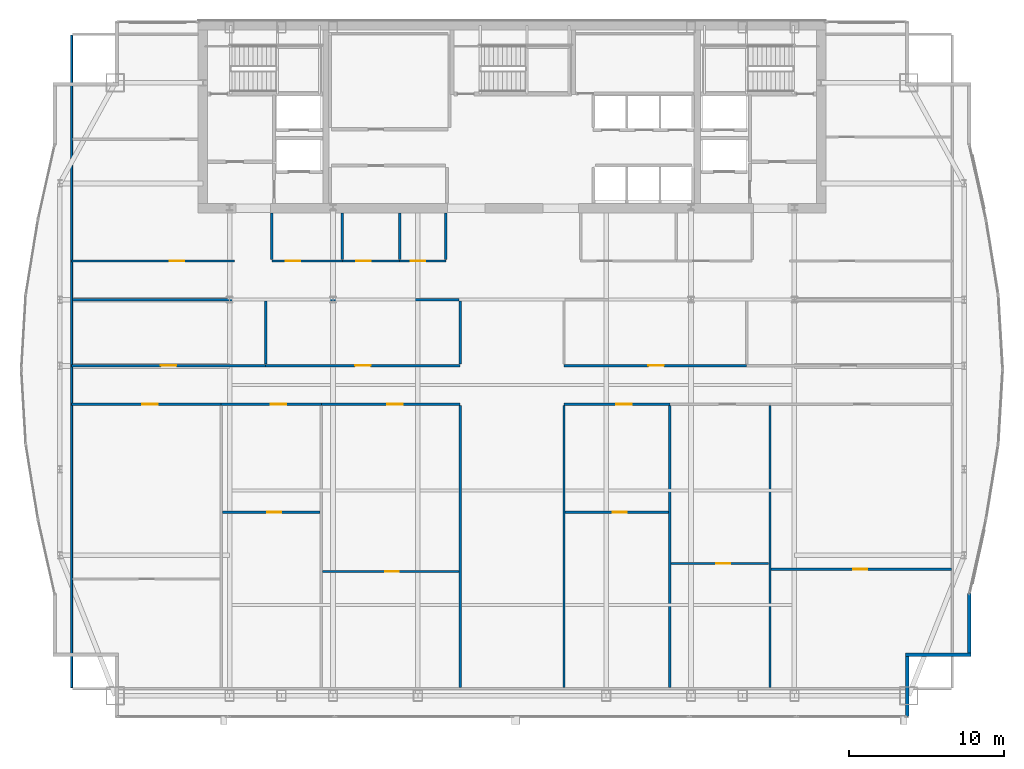
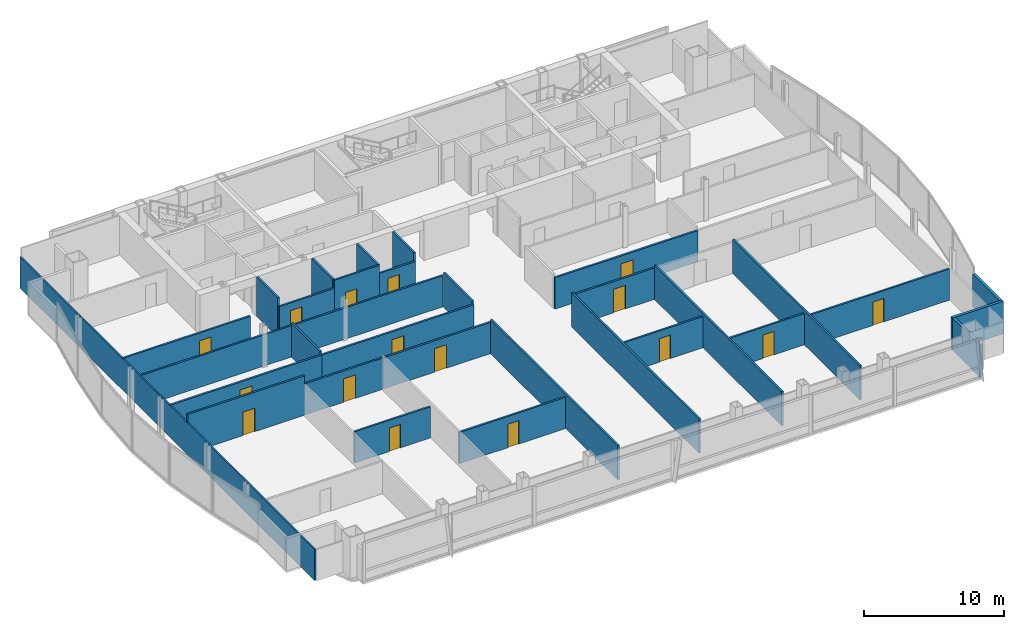
# One storey, part 25 of 30: 31 walls, 16 doors, 16 openings.
"""IFC4 building model written with IfcOpenShell, lengths in metres."""

import ifcopenshell
import ifcopenshell.guid

model = None  # the IFC model being written
_history = None  # IfcOwnerHistory: only IFC2X3 demands one
_inside = {}  # id of a spatial element -> (the spatial element, [elements in it])
_under = {}  # id of a project, library or spatial element -> (it, [spatial elements below it])
_declared = {}  # id of a project -> (the project, [libraries it declares])
_typed = {}  # id of a type object -> (the type object, [elements of that type])
_made_of = {}  # id of a material, layer set ... -> (it, [elements and type objects made of it])


def new_model(schema):
    """Start an empty IFC model of exactly this schema.

    Asked for "IFC4X3", IfcOpenShell would pick the latest addendum, in which some entities
    have other attributes; the version numbers below select the first issue.
    IFC2X3 requires an IfcOwnerHistory on every rooted entity: one is made here for all.
    """
    global model, _history
    if schema == "IFC4X3":
        model = ifcopenshell.file(schema_version=(4, 3, 0, 0))
    else:
        model = ifcopenshell.file(schema=schema)
    _inside.clear()
    _under.clear()
    _declared.clear()
    _typed.clear()
    _made_of.clear()
    _history = None
    if model.schema == "IFC2X3":
        org = make("IfcOrganization", Name="unknown")
        user = make(
            "IfcPersonAndOrganization",
            ThePerson=make("IfcPerson", FamilyName="unknown"),
            TheOrganization=org,
        )
        app = make(
            "IfcApplication",
            ApplicationDeveloper=org,
            Version="unknown",
            ApplicationFullName="unknown",
            ApplicationIdentifier="unknown",
        )
        _history = make(
            "IfcOwnerHistory",
            OwningUser=user,
            OwningApplication=app,
            ChangeAction="ADDED",
            CreationDate=0,
        )
    return model


def make(cls, **values):
    """One entity of the class cls with the attributes given. An attribute that is None is left unset."""
    return model.create_entity(
        cls, **{name: value for name, value in values.items() if value is not None}
    )


def rooted(cls, **values):
    """An entity with a GlobalId (a new one), such as an element, a storey or a relation."""
    return make(cls, GlobalId=ifcopenshell.guid.new(), OwnerHistory=_history, **values)


def si_unit(unit_type, name, prefix=None):
    """IfcSIUnit, for example si_unit("LENGTHUNIT", "METRE", prefix="MILLI")."""
    return make("IfcSIUnit", UnitType=unit_type, Prefix=prefix, Name=name)


def assignment(units):
    """IfcUnitAssignment: the units of a project."""
    return None if units is None else make("IfcUnitAssignment", Units=units)


def point(xyz):
    """IfcCartesianPoint."""
    return None if xyz is None else make("IfcCartesianPoint", Coordinates=xyz)


def direction(xyz):
    """IfcDirection."""
    return None if xyz is None else make("IfcDirection", DirectionRatios=xyz)


def frame(location, z_axis=None, x_axis=None):
    """IfcAxis2Placement3D, a coordinate frame: its origin and axes. An axis left out is left unset."""
    return make(
        "IfcAxis2Placement3D",
        Location=point(location),
        Axis=direction(z_axis),
        RefDirection=direction(x_axis),
    )


def frame_2d(location, x_axis=None):
    """IfcAxis2Placement2D, a coordinate frame in the plane: its origin and x axis."""
    return make(
        "IfcAxis2Placement2D", Location=point(location), RefDirection=direction(x_axis)
    )


def origin():
    """The frame at (0, 0, 0) with its axes left unset."""
    return frame((0.0, 0.0, 0.0))


def place(relative_to, where):
    """IfcLocalPlacement: puts the frame where relative to a parent placement (None: the world)."""
    return make(
        "IfcLocalPlacement", PlacementRelTo=relative_to, RelativePlacement=where
    )


def context(
    kind, dimensions, precision=None, world=None, true_north=None, identifier=None
):
    """IfcGeometricRepresentationContext, for example the 3D "Model" context."""
    return make(
        "IfcGeometricRepresentationContext",
        ContextIdentifier=identifier,
        ContextType=kind,
        CoordinateSpaceDimension=dimensions,
        Precision=precision,
        WorldCoordinateSystem=world,
        TrueNorth=true_north,
    )


def subcontext(parent, identifier, kind, view, scale=None):
    """IfcGeometricRepresentationSubContext, for example "Body" below "Model"."""
    return make(
        "IfcGeometricRepresentationSubContext",
        ContextIdentifier=identifier,
        ContextType=kind,
        ParentContext=parent,
        TargetScale=scale,
        TargetView=view,
    )


def project(units=None, contexts=None):
    """IfcProject with its units and contexts."""
    return rooted(
        "IfcProject",
        Name="project",
        RepresentationContexts=contexts,
        UnitsInContext=assignment(units),
    )


def spatial(cls, under=None, at=None, **own):
    """A site, building, storey or space (cls), placed at a placement, below another one or the project."""
    s = rooted(cls, ObjectPlacement=at, **own)
    if under is not None:
        _under.setdefault(under.id(), (under, []))[1].append(s)
    return s


def profile(cls, at=None, kind="AREA", **sizes):
    """A parametric profile (cls). Its sizes go by their IFC names, for example OverallWidth=200.0."""
    return make(cls, ProfileType=kind, Position=at, **sizes)


def rectangle(**sizes):
    """IfcRectangleProfileDef."""
    return profile("IfcRectangleProfileDef", **sizes)


def extrude(swept, where, along, depth):
    """IfcExtrudedAreaSolid: the profile swept, set in the frame where, extruded along a direction by depth."""
    return make(
        "IfcExtrudedAreaSolid",
        SweptArea=swept,
        Position=where,
        ExtrudedDirection=direction(along),
        Depth=depth,
    )


def shape(context_of_items, identifier, shape_type, items):
    """IfcShapeRepresentation: the items that make up one representation, for example the "Body"."""
    return make(
        "IfcShapeRepresentation",
        ContextOfItems=context_of_items,
        RepresentationIdentifier=identifier,
        RepresentationType=shape_type,
        Items=items,
    )


def material(Name=None, Category=None):
    """IfcMaterial."""
    return make("IfcMaterial", Name=Name, Category=Category)


def layer(
    of_material, thickness, ventilated=None, Name=None, Category=None, Priority=None
):
    """IfcMaterialLayer: one layer of a wall or slab, of a material (None: an air gap)."""
    return make(
        "IfcMaterialLayer",
        Material=of_material,
        LayerThickness=thickness,
        IsVentilated=ventilated,
        Name=Name,
        Category=Category,
        Priority=Priority,
    )


def layer_set(layers, Name=None):
    """IfcMaterialLayerSet."""
    return make("IfcMaterialLayerSet", MaterialLayers=layers, LayerSetName=Name)


def made_of(thing, what):
    """Note that an element or type object is made of a material, layer set ...; save() writes the relation."""
    if what is not None:
        _made_of.setdefault(what.id(), (what, []))[1].append(thing)
    return thing


def type_object(cls, material=None, **own):
    """A type object (cls), such as IfcWallType, which elements share."""
    return made_of(rooted(cls, **own), material)


def element(
    cls,
    number,
    at=None,
    inside=None,
    cuts=None,
    type_object=None,
    material=None,
    context=None,
    identifier="Body",
    shape_type=None,
    held_by="IfcProductDefinitionShape",
    body=None,
    shapes=None,
    **own,
):
    """One element of the class cls, such as IfcWall. Its Tag is "e" and its number.

    at: its placement. inside: the storey or other place that contains it. cuts: it is an
    opening in that element (IfcRelVoidsElement). A single representation is given by context,
    identifier, shape_type and body (its items); several are given by shapes. held_by: the class
    of the entity that holds the representations. save() writes the other relations.
    """
    e = rooted(cls, Tag="e%d" % number, ObjectPlacement=at, **own)
    if body is not None:
        shapes = [shape(context, identifier, shape_type, body)]
    if shapes is not None:
        e.Representation = make(held_by, Representations=shapes)
    if inside is not None:
        _inside.setdefault(inside.id(), (inside, []))[1].append(e)
    if cuts is not None:
        rooted(
            "IfcRelVoidsElement", RelatingBuildingElement=cuts, RelatedOpeningElement=e
        )
    if type_object is not None:
        _typed.setdefault(type_object.id(), (type_object, []))[1].append(e)
    return made_of(e, material)


def fill(opening, filler):
    """IfcRelFillsElement: the door or window that sits in an opening."""
    return rooted(
        "IfcRelFillsElement",
        RelatingOpeningElement=opening,
        RelatedBuildingElement=filler,
    )


def aggregate(whole, parts):
    """IfcRelAggregates: a whole, such as a stair, and the parts it consists of."""
    return rooted("IfcRelAggregates", RelatingObject=whole, RelatedObjects=parts)


def save(model, path):
    """Write the relations noted so far, then the file.

    IfcRelAggregates (storeys below a building ...), IfcRelContainedInSpatialStructure (elements
    in a storey), IfcRelDefinesByType, IfcRelAssociatesMaterial and IfcRelDeclares: one each for
    every whole, place, type object, material and project.
    """
    for whole, parts in _under.values():
        aggregate(whole, parts)
    for where, things in _inside.values():
        rooted(
            "IfcRelContainedInSpatialStructure",
            RelatedElements=things,
            RelatingStructure=where,
        )
    for kind, things in _typed.values():
        rooted("IfcRelDefinesByType", RelatedObjects=things, RelatingType=kind)
    for what, things in _made_of.values():
        rooted("IfcRelAssociatesMaterial", RelatedObjects=things, RelatingMaterial=what)
    for by, libraries in _declared.values():
        rooted("IfcRelDeclares", RelatingContext=by, RelatedDefinitions=libraries)
    model.write(path)


model = new_model("IFC4")

# Units and contexts
model_context = context("Model", 3, precision=1e-05, world=origin(), true_north=direction((0.0, 1.0)))
body_context = subcontext(model_context, "Body", "Model", "MODEL_VIEW")
ifc_project = project(units=[si_unit("LENGTHUNIT", "METRE"), si_unit("AREAUNIT", "SQUARE_METRE"), si_unit("VOLUMEUNIT", "CUBIC_METRE"), si_unit("PLANEANGLEUNIT", "RADIAN"), si_unit("MASSUNIT", "GRAM", prefix="KILO")], contexts=[model_context])

# Site, building, storey
site_placement = place(None, origin())
site = spatial("IfcSite", under=ifc_project, at=site_placement, CompositionType="ELEMENT")
building_placement = place(site_placement, origin())
building = spatial("IfcBuilding", under=site, at=building_placement, Name="Khoronbel Lancet Exchange", CompositionType="ELEMENT")
storey_placement = place(building_placement, frame((0.0, 0.0, 213.800048828125)))
storey = spatial("IfcBuildingStorey", under=building, at=storey_placement, Name="L54", CompositionType="ELEMENT", Elevation=213.800048828125)

# Walls
ifc_material_1 = material(Name="Precast concrete C40/50", Category="concrete")
ifc_layer_1 = layer(ifc_material_1, 0.25, Name="Precast concrete C40/50")
ifc_layer_set_1 = layer_set([ifc_layer_1], Name="Precast concrete C40/50")
wall_type_1 = type_object("IfcWallType", Name="WL-EXT250", PredefinedType="SOLIDWALL", material=ifc_layer_set_1)
wall_1_placement = place(storey_placement, frame((65.9599609375, 16.72998046875, 0.0), z_axis=(0.0, 0.0, 1.0), x_axis=(0.0, -1.0, 0.0)))
element("IfcWall", 1, at=wall_1_placement, inside=storey, type_object=wall_type_1, Name="Level L54 notched-corner limestone pier 23", PredefinedType="SOLIDWALL", context=body_context, shape_type="SweptSolid", body=[
    extrude(rectangle(XDim=3.830078125, YDim=0.219970703125, at=frame_2d((1.9150390625, 0.0))), origin(), (0.0, 0.0, 1.0), 2.829833984375),
])
wall_2_placement = place(storey_placement, frame((66.070068359375, 12.7900390625, 0.0), z_axis=(0.0, 0.0, 1.0), x_axis=(-1.0, 0.0, 0.0)))
element("IfcWall", 2, at=wall_2_placement, inside=storey, type_object=wall_type_1, Name="Level L54 notched-corner limestone pier 24", PredefinedType="SOLIDWALL", context=body_context, shape_type="SweptSolid", body=[
    extrude(rectangle(XDim=4.219970703125, YDim=0.219970703125, at=frame_2d((2.10986328125, 0.0))), origin(), (0.0, 0.0, 1.0), 2.829833984375),
])
wall_3_placement = place(storey_placement, frame((61.9599609375, 12.679931640625, 0.0), z_axis=(0.0, 0.0, 1.0), x_axis=(0.0, -1.0, 0.0)))
element("IfcWall", 3, at=wall_3_placement, inside=storey, type_object=wall_type_1, Name="Level L54 notched-corner limestone pier 25", PredefinedType="SOLIDWALL", context=body_context, shape_type="SweptSolid", body=[
    extrude(rectangle(XDim=3.909912109375, YDim=0.219970703125, at=frame_2d((1.955078125, 0.0))), origin(), (0.0, 0.0, 1.0), 2.829833984375),
])
ifc_material_2 = material(Name="Acoustic Metal-Stud & Mineral-Wool Gypsum Partition 120 mm", Category="gypsum")
ifc_layer_2 = layer(ifc_material_2, 0.1201171875, Name="Acoustic Metal-Stud & Mineral-Wool Gypsum Partition 120 mm")
ifc_layer_set_2 = layer_set([ifc_layer_2], Name="Acoustic Metal-Stud & Mineral-Wool Gypsum Partition 120 mm")
wall_type_2 = type_object("IfcWallType", Name="WL-PRT120", PredefinedType="PARTITIONING", material=ifc_layer_set_2)
for number, where, z_axis, x_axis, name in (
    (4, (20.949951171875, 38.280029296875, 0.0), (0.0, 0.0, 1.0), (0.0, 1.0, 0.0), "Level L54 interior partition PW-WC-0"),
    (5, (25.5, 38.280029296875, 0.0), (0.0, 0.0, 1.0), (0.0, 1.0, 0.0), "Level L54 interior partition PW-WC-1"),
    (6, (29.199951171875, 38.280029296875, 0.0), (0.0, 0.0, 1.0), (0.0, 1.0, 0.0), "Level L54 interior partition PW-WC-2"),
    (7, (32.179931640625, 38.280029296875, 0.0), (0.0, 0.0, 1.0), (0.0, 1.0, 0.0), "Level L54 interior partition PW-WC-3"),
):
    element("IfcWall", number, at=place(storey_placement, frame(where, z_axis=z_axis, x_axis=x_axis)), inside=storey, type_object=wall_type_2, Name=name, PredefinedType="PARTITIONING", context=body_context, shape_type="SweptSolid", body=[
        extrude(rectangle(XDim=3.02001953125, YDim=0.14990234375, at=frame_2d((1.510009765625, 0.0))), origin(), (0.0, 0.0, 1.0), 3.43994140625),
    ])

# Wall, opening, door
wall_4_placement = place(storey_placement, frame((17.76171875, 21.984130859375, 0.0), z_axis=(0.0, 0.0, 1.0), x_axis=(1.0, 0.0, 0.0)))
wall_4 = element("IfcWall", 8, at=wall_4_placement, inside=storey, type_object=wall_type_2, Name="Level L54 interior partition PW-Z3SW-H2", PredefinedType="PARTITIONING", context=body_context, shape_type="SweptSolid", body=[
    extrude(rectangle(XDim=6.30322265625, YDim=0.14990234375, at=frame_2d((3.151611328125, 0.0))), origin(), (0.0, 0.0, 1.0), 2.72998046875),
])
opening_1_placement = place(wall_4_placement, frame((2.908447265625, 0.0, 0.0)))
opening_1 = element("IfcOpeningElement", 9, at=opening_1_placement, cuts=wall_4, Name="Opening D5", PredefinedType="OPENING", context=body_context, shape_type="SweptSolid", body=[
    extrude(rectangle(XDim=0.89990234375, YDim=2.050048828125, at=frame_2d((0.449951171875, 1.02490234375))), frame((0.0, 0.0849609375, 0.0), z_axis=(0.0, -1.0, 0.0), x_axis=(1.0, 0.0, 0.0)), (0.0, 0.0, 1.0), 0.169921875),
])
ifc_material_3 = material(Name="Acoustic Timber Pantry & Support Door", Category="wood")
door_type_1 = type_object("IfcDoorType", Name="DR-D5", OperationType="NOTDEFINED", PredefinedType="DOOR", material=ifc_material_3)
door_1_placement = place(opening_1_placement, origin())
door_1 = element("IfcDoor", 10, at=door_1_placement, inside=storey, type_object=door_type_1, Name="Z3SW inner door 2 L54-1", OperationType="SINGLE_SWING_RIGHT", OverallHeight=2.050048828125, OverallWidth=0.89990234375, PredefinedType="DOOR", context=body_context, shape_type="SweptSolid", body=[
    extrude(rectangle(XDim=0.89990234375, YDim=2.050048828125, at=frame_2d((0.449951171875, 1.02490234375))), frame((0.0, 0.02490234375, 0.0), z_axis=(0.0, -1.0, 0.0), x_axis=(1.0, 0.0, 0.0)), (0.0, 0.0, 1.0), 0.050048828125),
])
fill(opening_1, door_1)

wall_5_placement = place(storey_placement, frame((24.224853515625, 18.16552734375, 0.0), z_axis=(0.0, 0.0, 1.0), x_axis=(1.0, 0.0, 0.0)))
wall_5 = element("IfcWall", 11, at=wall_5_placement, inside=storey, type_object=wall_type_2, Name="Level L54 interior partition PW-Z3SW-H3", PredefinedType="PARTITIONING", context=body_context, shape_type="SweptSolid", body=[
    extrude(rectangle(XDim=8.795166015625, YDim=0.14990234375, at=frame_2d((4.3974609375, 0.0))), origin(), (0.0, 0.0, 1.0), 2.72998046875),
])
opening_2_placement = place(wall_5_placement, frame((4.02978515625, 0.0, 0.0)))
opening_2 = element("IfcOpeningElement", 12, at=opening_2_placement, cuts=wall_5, Name="Opening D5", PredefinedType="OPENING", context=body_context, shape_type="SweptSolid", body=[
    extrude(rectangle(XDim=0.89990234375, YDim=2.050048828125, at=frame_2d((0.449951171875, 1.02490234375))), frame((0.0, 0.0849609375, 0.0), z_axis=(0.0, -1.0, 0.0), x_axis=(1.0, 0.0, 0.0)), (0.0, 0.0, 1.0), 0.169921875),
])
door_2_placement = place(opening_2_placement, origin())
door_2 = element("IfcDoor", 13, at=door_2_placement, inside=storey, type_object=door_type_1, Name="Z3SW inner door 3 L54-1", OperationType="SINGLE_SWING_RIGHT", OverallHeight=2.050048828125, OverallWidth=0.89990234375, PredefinedType="DOOR", context=body_context, shape_type="SweptSolid", body=[
    extrude(rectangle(XDim=0.89990234375, YDim=2.050048828125, at=frame_2d((0.449951171875, 1.02490234375))), frame((0.0, 0.02490234375, 0.0), z_axis=(0.0, -1.0, 0.0), x_axis=(1.0, 0.0, 0.0)), (0.0, 0.0, 1.0), 0.050048828125),
])
fill(opening_2, door_2)

wall_6_placement = place(storey_placement, frame((39.8798828125, 21.97705078125, 0.0), z_axis=(0.0, 0.0, 1.0), x_axis=(1.0, 0.0, 0.0)))
wall_6 = element("IfcWall", 14, at=wall_6_placement, inside=storey, type_object=wall_type_2, Name="Level L54 interior partition PW-Z3SE-H1", PredefinedType="PARTITIONING", context=body_context, shape_type="SweptSolid", body=[
    extrude(rectangle(XDim=6.677490234375, YDim=0.14990234375, at=frame_2d((3.3388671875, 0.0))), origin(), (0.0, 0.0, 1.0), 2.72998046875),
])
opening_3_placement = place(wall_6_placement, frame((3.076904296875, 0.0, 0.0)))
opening_3 = element("IfcOpeningElement", 15, at=opening_3_placement, cuts=wall_6, Name="Opening D5", PredefinedType="OPENING", context=body_context, shape_type="SweptSolid", body=[
    extrude(rectangle(XDim=0.89990234375, YDim=2.050048828125, at=frame_2d((0.449951171875, 1.02490234375))), frame((0.0, 0.0849609375, 0.0), z_axis=(0.0, -1.0, 0.0), x_axis=(1.0, 0.0, 0.0)), (0.0, 0.0, 1.0), 0.169921875),
])
door_3_placement = place(opening_3_placement, origin())
door_3 = element("IfcDoor", 16, at=door_3_placement, inside=storey, type_object=door_type_1, Name="Z3SE inner door 1 L54-1", OperationType="SINGLE_SWING_RIGHT", OverallHeight=2.050048828125, OverallWidth=0.89990234375, PredefinedType="DOOR", context=body_context, shape_type="SweptSolid", body=[
    extrude(rectangle(XDim=0.89990234375, YDim=2.050048828125, at=frame_2d((0.449951171875, 1.02490234375))), frame((0.0, 0.02490234375, 0.0), z_axis=(0.0, -1.0, 0.0), x_axis=(1.0, 0.0, 0.0)), (0.0, 0.0, 1.0), 0.050048828125),
])
fill(opening_3, door_3)

wall_7_placement = place(storey_placement, frame((46.71728515625, 18.674072265625, 0.0), z_axis=(0.0, 0.0, 1.0), x_axis=(1.0, 0.0, 0.0)))
wall_7 = element("IfcWall", 17, at=wall_7_placement, inside=storey, type_object=wall_type_2, Name="Level L54 interior partition PW-Z3SE-H2", PredefinedType="PARTITIONING", context=body_context, shape_type="SweptSolid", body=[
    extrude(rectangle(XDim=6.29736328125, YDim=0.14990234375, at=frame_2d((3.148681640625, 0.0))), origin(), (0.0, 0.0, 1.0), 2.72998046875),
])
opening_4_placement = place(wall_7_placement, frame((2.90576171875, 0.0, 0.0)))
opening_4 = element("IfcOpeningElement", 18, at=opening_4_placement, cuts=wall_7, Name="Opening D5", PredefinedType="OPENING", context=body_context, shape_type="SweptSolid", body=[
    extrude(rectangle(XDim=0.89990234375, YDim=2.050048828125, at=frame_2d((0.449951171875, 1.02490234375))), frame((0.0, 0.0849609375, 0.0), z_axis=(0.0, -1.0, 0.0), x_axis=(1.0, 0.0, 0.0)), (0.0, 0.0, 1.0), 0.169921875),
])
door_4_placement = place(opening_4_placement, origin())
door_4 = element("IfcDoor", 19, at=door_4_placement, inside=storey, type_object=door_type_1, Name="Z3SE inner door 2 L54-1", OperationType="SINGLE_SWING_RIGHT", OverallHeight=2.050048828125, OverallWidth=0.89990234375, PredefinedType="DOOR", context=body_context, shape_type="SweptSolid", body=[
    extrude(rectangle(XDim=0.89990234375, YDim=2.050048828125, at=frame_2d((0.449951171875, 1.02490234375))), frame((0.0, 0.02490234375, 0.0), z_axis=(0.0, -1.0, 0.0), x_axis=(1.0, 0.0, 0.0)), (0.0, 0.0, 1.0), 0.050048828125),
])
fill(opening_4, door_4)

wall_8_placement = place(storey_placement, frame((53.1748046875, 18.306884765625, 0.0), z_axis=(0.0, 0.0, 1.0), x_axis=(1.0, 0.0, 0.0)))
wall_8 = element("IfcWall", 20, at=wall_8_placement, inside=storey, type_object=wall_type_2, Name="Level L54 interior partition PW-Z3SE-H3", PredefinedType="PARTITIONING", context=body_context, shape_type="SweptSolid", body=[
    extrude(rectangle(XDim=11.630126953125, YDim=0.14990234375, at=frame_2d((5.81494140625, 0.0))), origin(), (0.0, 0.0, 1.0), 2.72998046875),
])
opening_5_placement = place(wall_8_placement, frame((5.298828125, 0.0, 0.0)))
opening_5 = element("IfcOpeningElement", 21, at=opening_5_placement, cuts=wall_8, Name="Opening D5", PredefinedType="OPENING", context=body_context, shape_type="SweptSolid", body=[
    extrude(rectangle(XDim=0.89990234375, YDim=2.050048828125, at=frame_2d((0.449951171875, 1.02490234375))), frame((0.0, 0.0849609375, 0.0), z_axis=(0.0, -1.0, 0.0), x_axis=(1.0, 0.0, 0.0)), (0.0, 0.0, 1.0), 0.169921875),
])
door_5_placement = place(opening_5_placement, origin())
door_5 = element("IfcDoor", 22, at=door_5_placement, inside=storey, type_object=door_type_1, Name="Z3SE inner door 3 L54-1", OperationType="SINGLE_SWING_RIGHT", OverallHeight=2.050048828125, OverallWidth=0.89990234375, PredefinedType="DOOR", context=body_context, shape_type="SweptSolid", body=[
    extrude(rectangle(XDim=0.89990234375, YDim=2.050048828125, at=frame_2d((0.449951171875, 1.02490234375))), frame((0.0, 0.02490234375, 0.0), z_axis=(0.0, -1.0, 0.0), x_axis=(1.0, 0.0, 0.0)), (0.0, 0.0, 1.0), 0.050048828125),
])
fill(opening_5, door_5)

# Wall
wall_9_placement = place(storey_placement, frame((8.030029296875, 10.6650390625, 0.0), z_axis=(0.0, 0.0, 1.0), x_axis=(0.0, 1.0, 0.0)))
element("IfcWall", 23, at=wall_9_placement, inside=storey, type_object=wall_type_2, Name="Level L54 interior partition PW-LIN-W", PredefinedType="PARTITIONING", context=body_context, shape_type="SweptSolid", body=[
    extrude(rectangle(XDim=42.10986328125, YDim=0.1201171875, at=frame_2d((21.054931640625, 0.0))), origin(), (0.0, 0.0, 1.0), 2.72998046875),
])

# Wall, opening, door
ifc_material_4 = material(Name="Fire-Rated Twin-Stud Acoustic Gypsum Partition 150 mm", Category="gypsum")
ifc_layer_3 = layer(ifc_material_4, 0.14990234375, Name="Fire-Rated Twin-Stud Acoustic Gypsum Partition 150 mm")
ifc_layer_set_3 = layer_set([ifc_layer_3], Name="Fire-Rated Twin-Stud Acoustic Gypsum Partition 150 mm")
wall_type_3 = type_object("IfcWallType", Name="WL-PRT150C", PredefinedType="PARTITIONING", material=ifc_layer_set_3)
wall_10_placement = place(storey_placement, frame((20.949951171875, 38.199951171875, 0.0), z_axis=(0.0, 0.0, 1.0), x_axis=(1.0, 0.0, 0.0)))
wall_10 = element("IfcWall", 24, at=wall_10_placement, inside=storey, type_object=wall_type_3, Name="Level L54 interior partition PW-WC-S1", PredefinedType="PARTITIONING", context=body_context, shape_type="SweptSolid", body=[
    extrude(rectangle(XDim=4.550048828125, YDim=0.14990234375, at=frame_2d((2.27490234375, 0.0))), origin(), (0.0, 0.0, 1.0), 2.72998046875),
])
opening_6_placement = place(wall_10_placement, frame((0.89990234375, 0.0, 0.0)))
opening_6 = element("IfcOpeningElement", 25, at=opening_6_placement, cuts=wall_10, Name="Opening D4", PredefinedType="OPENING", context=body_context, shape_type="SweptSolid", body=[
    extrude(rectangle(XDim=0.949951171875, YDim=2.050048828125, at=frame_2d((0.47509765625, 1.02490234375))), frame((0.0, 0.0849609375, 0.0), z_axis=(0.0, -1.0, 0.0), x_axis=(1.0, 0.0, 0.0)), (0.0, 0.0, 1.0), 0.169921875),
])
ifc_material_5 = material(Name="Moisture-Resistant HPL Washroom Door", Category="wood")
door_type_2 = type_object("IfcDoorType", Name="DR-D4", OperationType="NOTDEFINED", PredefinedType="DOOR", material=ifc_material_5)
door_6_placement = place(opening_6_placement, origin())
door_6 = element("IfcDoor", 26, at=door_6_placement, inside=storey, type_object=door_type_2, Name="Male washroom door L54-1", OperationType="SINGLE_SWING_RIGHT", OverallHeight=2.050048828125, OverallWidth=0.949951171875, PredefinedType="DOOR", context=body_context, shape_type="SweptSolid", body=[
    extrude(rectangle(XDim=0.949951171875, YDim=2.050048828125, at=frame_2d((0.47509765625, 1.02490234375))), frame((0.0, 0.02490234375, 0.0), z_axis=(0.0, -1.0, 0.0), x_axis=(1.0, 0.0, 0.0)), (0.0, 0.0, 1.0), 0.050048828125),
])
fill(opening_6, door_6)

wall_11_placement = place(storey_placement, frame((25.5, 38.199951171875, 0.0), z_axis=(0.0, 0.0, 1.0), x_axis=(1.0, 0.0, 0.0)))
wall_11 = element("IfcWall", 27, at=wall_11_placement, inside=storey, type_object=wall_type_3, Name="Level L54 interior partition PW-WC-S2", PredefinedType="PARTITIONING", context=body_context, shape_type="SweptSolid", body=[
    extrude(rectangle(XDim=3.699951171875, YDim=0.14990234375, at=frame_2d((1.85009765625, 0.0))), origin(), (0.0, 0.0, 1.0), 3.43994140625),
])
opening_7_placement = place(wall_11_placement, frame((0.89990234375, 0.0, 0.0)))
opening_7 = element("IfcOpeningElement", 28, at=opening_7_placement, cuts=wall_11, Name="Opening D4", PredefinedType="OPENING", context=body_context, shape_type="SweptSolid", body=[
    extrude(rectangle(XDim=0.949951171875, YDim=2.050048828125, at=frame_2d((0.47509765625, 1.02490234375))), frame((0.0, 0.0849609375, 0.0), z_axis=(0.0, -1.0, 0.0), x_axis=(1.0, 0.0, 0.0)), (0.0, 0.0, 1.0), 0.169921875),
])
door_7_placement = place(opening_7_placement, origin())
door_7 = element("IfcDoor", 29, at=door_7_placement, inside=storey, type_object=door_type_2, Name="Female washroom door L54-1", OperationType="SINGLE_SWING_LEFT", OverallHeight=2.050048828125, OverallWidth=0.949951171875, PredefinedType="DOOR", context=body_context, shape_type="SweptSolid", body=[
    extrude(rectangle(XDim=0.949951171875, YDim=2.050048828125, at=frame_2d((0.47509765625, 1.02490234375))), frame((0.0, 0.02490234375, 0.0), z_axis=(0.0, -1.0, 0.0), x_axis=(1.0, 0.0, 0.0)), (0.0, 0.0, 1.0), 0.050048828125),
])
fill(opening_7, door_7)

wall_12_placement = place(storey_placement, frame((29.199951171875, 38.199951171875, 0.0), z_axis=(0.0, 0.0, 1.0), x_axis=(1.0, 0.0, 0.0)))
wall_12 = element("IfcWall", 30, at=wall_12_placement, inside=storey, type_object=wall_type_3, Name="Level L54 interior partition PW-WC-S3", PredefinedType="PARTITIONING", context=body_context, shape_type="SweptSolid", body=[
    extrude(rectangle(XDim=2.97998046875, YDim=0.14990234375, at=frame_2d((1.489990234375, 0.0))), origin(), (0.0, 0.0, 1.0), 2.72998046875),
])
opening_8_placement = place(wall_12_placement, frame((0.699951171875, 0.0, 0.0)))
opening_8 = element("IfcOpeningElement", 31, at=opening_8_placement, cuts=wall_12, Name="Opening D4", PredefinedType="OPENING", context=body_context, shape_type="SweptSolid", body=[
    extrude(rectangle(XDim=0.949951171875, YDim=2.050048828125, at=frame_2d((0.47509765625, 1.02490234375))), frame((0.0, 0.0849609375, 0.0), z_axis=(0.0, -1.0, 0.0), x_axis=(1.0, 0.0, 0.0)), (0.0, 0.0, 1.0), 0.169921875),
])
door_8_placement = place(opening_8_placement, origin())
door_8 = element("IfcDoor", 32, at=door_8_placement, inside=storey, type_object=door_type_2, Name="Accessible WC door L54-1", OperationType="SINGLE_SWING_RIGHT", OverallHeight=2.050048828125, OverallWidth=0.949951171875, PredefinedType="DOOR", context=body_context, shape_type="SweptSolid", body=[
    extrude(rectangle(XDim=0.949951171875, YDim=2.050048828125, at=frame_2d((0.47509765625, 1.02490234375))), frame((0.0, 0.02490234375, 0.0), z_axis=(0.0, -1.0, 0.0), x_axis=(1.0, 0.0, 0.0)), (0.0, 0.0, 1.0), 0.050048828125),
])
fill(opening_8, door_8)

wall_13_placement = place(storey_placement, frame((8.030029296875, 38.199951171875, 0.0), z_axis=(0.0, 0.0, 1.0), x_axis=(1.0, 0.0, 0.0)))
wall_13 = element("IfcWall", 33, at=wall_13_placement, inside=storey, type_object=wall_type_3, Name="Level L54 interior partition PW-NW-S", PredefinedType="PARTITIONING", context=body_context, shape_type="SweptSolid", body=[
    extrude(rectangle(XDim=10.52001953125, YDim=0.14990234375, at=frame_2d((5.260009765625, 0.0))), origin(), (0.0, 0.0, 1.0), 2.72998046875),
])
opening_9_placement = place(wall_13_placement, frame((6.320068359375, 0.0, 0.0)))
opening_9 = element("IfcOpeningElement", 34, at=opening_9_placement, cuts=wall_13, Name="Opening D1", PredefinedType="OPENING", context=body_context, shape_type="SweptSolid", body=[
    extrude(rectangle(XDim=0.949951171875, YDim=2.050048828125, at=frame_2d((0.47509765625, 1.02490234375))), frame((0.0, 0.0849609375, 0.0), z_axis=(0.0, -1.0, 0.0), x_axis=(1.0, 0.0, 0.0)), (0.0, 0.0, 1.0), 0.169921875),
])
ifc_material_6 = material(Name="Acoustic Veneered Timber & Bronze Frame Door", Category="wood")
door_type_3 = type_object("IfcDoorType", Name="DR-D1", OperationType="NOTDEFINED", PredefinedType="DOOR", material=ifc_material_6)
door_9_placement = place(opening_9_placement, origin())
door_9 = element("IfcDoor", 35, at=door_9_placement, inside=storey, type_object=door_type_3, Name="NW corner room door L54-1", OperationType="SINGLE_SWING_LEFT", OverallHeight=2.050048828125, OverallWidth=0.949951171875, PredefinedType="DOOR", context=body_context, shape_type="SweptSolid", body=[
    extrude(rectangle(XDim=0.949951171875, YDim=2.050048828125, at=frame_2d((0.47509765625, 1.02490234375))), frame((0.0, 0.02490234375, 0.0), z_axis=(0.0, -1.0, 0.0), x_axis=(1.0, 0.0, 0.0)), (0.0, 0.0, 1.0), 0.050048828125),
])
fill(opening_9, door_9)

# Walls
for number, where, z_axis, x_axis, name in (
    (36, (33.10009765625, 10.6650390625, 0.0), (0.0, 0.0, 1.0), (0.0, 1.0, 0.0), "Level L54 interior partition PW-Z3-CW1"),
    (37, (39.800048828125, 10.6650390625, 0.0), (0.0, 0.0, 1.0), (0.0, 1.0, 0.0), "Level L54 interior partition PW-Z3-CE1"),
):
    element("IfcWall", number, at=place(storey_placement, frame(where, z_axis=z_axis, x_axis=x_axis)), inside=storey, type_object=wall_type_3, Name=name, PredefinedType="PARTITIONING", context=body_context, shape_type="SweptSolid", body=[
        extrude(rectangle(XDim=18.199951171875, YDim=0.14990234375, at=frame_2d((9.10009765625, 0.0))), origin(), (0.0, 0.0, 1.0), 2.97998046875),
    ])
wall_14_placement = place(storey_placement, frame((33.10009765625, 31.534912109375, 0.0), z_axis=(0.0, 0.0, 1.0), x_axis=(0.0, 1.0, 0.0)))
element("IfcWall", 38, at=wall_14_placement, inside=storey, type_object=wall_type_3, Name="Level L54 interior partition PW-Z3-CW2", PredefinedType="PARTITIONING", context=body_context, shape_type="SweptSolid", body=[
    extrude(rectangle(XDim=4.085205078125, YDim=0.14990234375, at=frame_2d((2.04248046875, 0.0))), origin(), (0.0, 0.0, 1.0), 2.97998046875),
])
wall_15_placement = place(storey_placement, frame((8.094970703125, 35.699951171875, 0.0), z_axis=(0.0, 0.0, 1.0), x_axis=(1.0, 0.0, 0.0)))
element("IfcWall", 39, at=wall_15_placement, inside=storey, type_object=wall_type_3, Name="Level L54 interior partition PW-Z3-WN", PredefinedType="PARTITIONING", context=body_context, shape_type="SweptSolid", body=[
    extrude(rectangle(XDim=24.925048828125, YDim=0.14990234375, at=frame_2d((12.46240234375, 0.0))), origin(), (0.0, 0.0, 1.0), 2.72998046875),
])
for number, where, z_axis, x_axis, name in (
    (40, (46.63720703125, 10.6650390625, 0.0), (0.0, 0.0, 1.0), (0.0, 1.0, 0.0), "Level L54 interior partition PW-Z3SE-V1"),
    (41, (53.0947265625, 10.6650390625, 0.0), (0.0, 0.0, 1.0), (0.0, 1.0, 0.0), "Level L54 interior partition PW-Z3SE-V2"),
):
    element("IfcWall", number, at=place(storey_placement, frame(where, z_axis=z_axis, x_axis=x_axis)), inside=storey, type_object=wall_type_3, Name=name, PredefinedType="PARTITIONING", context=body_context, shape_type="SweptSolid", body=[
        extrude(rectangle(XDim=18.199951171875, YDim=0.14990234375, at=frame_2d((9.10009765625, 0.0))), origin(), (0.0, 0.0, 1.0), 2.97998046875),
    ])
wall_16_placement = place(storey_placement, frame((20.5498046875, 31.534912109375, 0.0), z_axis=(0.0, 0.0, 1.0), x_axis=(0.0, 1.0, 0.0)))
element("IfcWall", 42, at=wall_16_placement, inside=storey, type_object=wall_type_3, Name="Level L54 interior partition PW-Z3NW-V1", PredefinedType="PARTITIONING", context=body_context, shape_type="SweptSolid", body=[
    extrude(rectangle(XDim=4.085205078125, YDim=0.14990234375, at=frame_2d((2.04248046875, 0.0))), origin(), (0.0, 0.0, 1.0), 2.97998046875),
])

# Wall, opening, door
ifc_material_7 = material(Name="Fire-Rated Twin-Stud Acoustic Gypsum Partition 160 mm", Category="gypsum")
ifc_layer_4 = layer(ifc_material_7, 0.159912109375, Name="Fire-Rated Twin-Stud Acoustic Gypsum Partition 160 mm")
ifc_layer_set_4 = layer_set([ifc_layer_4], Name="Fire-Rated Twin-Stud Acoustic Gypsum Partition 160 mm")
wall_type_4 = type_object("IfcWallType", Name="WL-PRT160C", PredefinedType="PARTITIONING", material=ifc_layer_set_4)
wall_17_placement = place(storey_placement, frame((8.030029296875, 28.949951171875, 0.0), z_axis=(0.0, 0.0, 1.0), x_axis=(1.0, 0.0, 0.0)))
wall_17 = element("IfcWall", 43, at=wall_17_placement, inside=storey, type_object=wall_type_4, Name="Level L54 interior partition PW-Z3SW-COR1", PredefinedType="PARTITIONING", context=body_context, shape_type="SweptSolid", body=[
    extrude(rectangle(XDim=9.651611328125, YDim=0.159912109375, at=frame_2d((4.82568359375, 0.0))), origin(), (0.0, 0.0, 1.0), 3.43994140625),
])
opening_10_placement = place(wall_17_placement, frame((4.5537109375, 0.0, 0.0)))
opening_10 = element("IfcOpeningElement", 44, at=opening_10_placement, cuts=wall_17, Name="Opening D2", PredefinedType="OPENING", context=body_context, shape_type="SweptSolid", body=[
    extrude(rectangle(XDim=1.0, YDim=2.050048828125, at=frame_2d((0.5, 1.02490234375))), frame((0.0, 0.08984375, 0.0), z_axis=(0.0, -1.0, 0.0), x_axis=(1.0, 0.0, 0.0)), (0.0, 0.0, 1.0), 0.179931640625),
])
door_type_4 = type_object("IfcDoorType", Name="DR-D2", OperationType="NOTDEFINED", PredefinedType="DOOR", material=ifc_material_6)
door_10_placement = place(opening_10_placement, origin())
door_10 = element("IfcDoor", 45, at=door_10_placement, inside=storey, type_object=door_type_4, Name="Z3SW bay 1 door L54-1", OperationType="SINGLE_SWING_LEFT", OverallHeight=2.050048828125, OverallWidth=1.0, PredefinedType="DOOR", context=body_context, shape_type="SweptSolid", body=[
    extrude(rectangle(XDim=1.0, YDim=2.050048828125, at=frame_2d((0.5, 1.02490234375))), frame((0.0, 0.02490234375, 0.0), z_axis=(0.0, -1.0, 0.0), x_axis=(1.0, 0.0, 0.0)), (0.0, 0.0, 1.0), 0.050048828125),
])
fill(opening_10, door_10)

wall_18_placement = place(storey_placement, frame((17.681640625, 28.949951171875, 0.0), z_axis=(0.0, 0.0, 1.0), x_axis=(1.0, 0.0, 0.0)))
wall_18 = element("IfcWall", 46, at=wall_18_placement, inside=storey, type_object=wall_type_4, Name="Level L54 interior partition PW-Z3SW-COR2", PredefinedType="PARTITIONING", context=body_context, shape_type="SweptSolid", body=[
    extrude(rectangle(XDim=6.46337890625, YDim=0.159912109375, at=frame_2d((3.231689453125, 0.0))), origin(), (0.0, 0.0, 1.0), 2.72998046875),
])
opening_11_placement = place(wall_18_placement, frame((3.214599609375, 0.0, 0.0)))
opening_11 = element("IfcOpeningElement", 47, at=opening_11_placement, cuts=wall_18, Name="Opening D2", PredefinedType="OPENING", context=body_context, shape_type="SweptSolid", body=[
    extrude(rectangle(XDim=1.0, YDim=2.050048828125, at=frame_2d((0.5, 1.02490234375))), frame((0.0, 0.08984375, 0.0), z_axis=(0.0, -1.0, 0.0), x_axis=(1.0, 0.0, 0.0)), (0.0, 0.0, 1.0), 0.179931640625),
])
door_11_placement = place(opening_11_placement, origin())
door_11 = element("IfcDoor", 48, at=door_11_placement, inside=storey, type_object=door_type_4, Name="Z3SW bay 2 door L54-1", OperationType="SINGLE_SWING_LEFT", OverallHeight=2.050048828125, OverallWidth=1.0, PredefinedType="DOOR", context=body_context, shape_type="SweptSolid", body=[
    extrude(rectangle(XDim=1.0, YDim=2.050048828125, at=frame_2d((0.5, 1.02490234375))), frame((0.0, 0.02490234375, 0.0), z_axis=(0.0, -1.0, 0.0), x_axis=(1.0, 0.0, 0.0)), (0.0, 0.0, 1.0), 0.050048828125),
])
fill(opening_11, door_11)

wall_19_placement = place(storey_placement, frame((24.14501953125, 28.949951171875, 0.0), z_axis=(0.0, 0.0, 1.0), x_axis=(1.0, 0.0, 0.0)))
wall_19 = element("IfcWall", 49, at=wall_19_placement, inside=storey, type_object=wall_type_4, Name="Level L54 interior partition PW-Z3SW-COR3", PredefinedType="PARTITIONING", context=body_context, shape_type="SweptSolid", body=[
    extrude(rectangle(XDim=8.955078125, YDim=0.159912109375, at=frame_2d((4.4775390625, 0.0))), origin(), (0.0, 0.0, 1.0), 2.72998046875),
])
opening_12_placement = place(wall_19_placement, frame((4.260986328125, 0.0, 0.0)))
opening_12 = element("IfcOpeningElement", 50, at=opening_12_placement, cuts=wall_19, Name="Opening D2", PredefinedType="OPENING", context=body_context, shape_type="SweptSolid", body=[
    extrude(rectangle(XDim=1.0, YDim=2.050048828125, at=frame_2d((0.5, 1.02490234375))), frame((0.0, 0.08984375, 0.0), z_axis=(0.0, -1.0, 0.0), x_axis=(1.0, 0.0, 0.0)), (0.0, 0.0, 1.0), 0.179931640625),
])
door_12_placement = place(opening_12_placement, origin())
door_12 = element("IfcDoor", 51, at=door_12_placement, inside=storey, type_object=door_type_4, Name="Z3SW bay 3 door L54-1", OperationType="SINGLE_SWING_LEFT", OverallHeight=2.050048828125, OverallWidth=1.0, PredefinedType="DOOR", context=body_context, shape_type="SweptSolid", body=[
    extrude(rectangle(XDim=1.0, YDim=2.050048828125, at=frame_2d((0.5, 1.02490234375))), frame((0.0, 0.02490234375, 0.0), z_axis=(0.0, -1.0, 0.0), x_axis=(1.0, 0.0, 0.0)), (0.0, 0.0, 1.0), 0.050048828125),
])
fill(opening_12, door_12)

wall_20_placement = place(storey_placement, frame((39.800048828125, 28.949951171875, 0.0), z_axis=(0.0, 0.0, 1.0), x_axis=(1.0, 0.0, 0.0)))
wall_20 = element("IfcWall", 52, at=wall_20_placement, inside=storey, type_object=wall_type_4, Name="Level L54 interior partition PW-Z3SE-COR1", PredefinedType="PARTITIONING", context=body_context, shape_type="SweptSolid", body=[
    extrude(rectangle(XDim=6.837158203125, YDim=0.159912109375, at=frame_2d((3.41845703125, 0.0))), origin(), (0.0, 0.0, 1.0), 2.72998046875),
])
opening_13_placement = place(wall_20_placement, frame((3.37158203125, 0.0, 0.0)))
opening_13 = element("IfcOpeningElement", 53, at=opening_13_placement, cuts=wall_20, Name="Opening D2", PredefinedType="OPENING", context=body_context, shape_type="SweptSolid", body=[
    extrude(rectangle(XDim=1.0, YDim=2.050048828125, at=frame_2d((0.5, 1.02490234375))), frame((0.0, 0.08984375, 0.0), z_axis=(0.0, -1.0, 0.0), x_axis=(1.0, 0.0, 0.0)), (0.0, 0.0, 1.0), 0.179931640625),
])
door_13_placement = place(opening_13_placement, origin())
door_13 = element("IfcDoor", 54, at=door_13_placement, inside=storey, type_object=door_type_4, Name="Z3SE bay 1 door L54-1", OperationType="SINGLE_SWING_LEFT", OverallHeight=2.050048828125, OverallWidth=1.0, PredefinedType="DOOR", context=body_context, shape_type="SweptSolid", body=[
    extrude(rectangle(XDim=1.0, YDim=2.050048828125, at=frame_2d((0.5, 1.02490234375))), frame((0.0, 0.02490234375, 0.0), z_axis=(0.0, -1.0, 0.0), x_axis=(1.0, 0.0, 0.0)), (0.0, 0.0, 1.0), 0.050048828125),
])
fill(opening_13, door_13)

wall_21_placement = place(storey_placement, frame((8.030029296875, 31.449951171875, 0.0), z_axis=(0.0, 0.0, 1.0), x_axis=(1.0, 0.0, 0.0)))
wall_21 = element("IfcWall", 55, at=wall_21_placement, inside=storey, type_object=wall_type_4, Name="Level L54 interior partition PW-Z3NW-COR1", PredefinedType="PARTITIONING", context=body_context, shape_type="SweptSolid", body=[
    extrude(rectangle(XDim=12.519775390625, YDim=0.159912109375, at=frame_2d((6.259765625, 0.0))), origin(), (0.0, 0.0, 1.0), 2.72998046875),
])
opening_14_placement = place(wall_21_placement, frame((5.75830078125, 0.0, 0.0)))
opening_14 = element("IfcOpeningElement", 56, at=opening_14_placement, cuts=wall_21, Name="Opening D2", PredefinedType="OPENING", context=body_context, shape_type="SweptSolid", body=[
    extrude(rectangle(XDim=1.0, YDim=2.050048828125, at=frame_2d((0.5, 1.02490234375))), frame((0.0, 0.08984375, 0.0), z_axis=(0.0, -1.0, 0.0), x_axis=(1.0, 0.0, 0.0)), (0.0, 0.0, 1.0), 0.179931640625),
])
door_14_placement = place(opening_14_placement, origin())
door_14 = element("IfcDoor", 57, at=door_14_placement, inside=storey, type_object=door_type_4, Name="Z3NW bay 1 door L54-1", OperationType="SINGLE_SWING_LEFT", OverallHeight=2.050048828125, OverallWidth=1.0, PredefinedType="DOOR", context=body_context, shape_type="SweptSolid", body=[
    extrude(rectangle(XDim=1.0, YDim=2.050048828125, at=frame_2d((0.5, 1.02490234375))), frame((0.0, 0.02490234375, 0.0), z_axis=(0.0, -1.0, 0.0), x_axis=(1.0, 0.0, 0.0)), (0.0, 0.0, 1.0), 0.050048828125),
])
fill(opening_14, door_14)

wall_22_placement = place(storey_placement, frame((20.5498046875, 31.449951171875, 0.0), z_axis=(0.0, 0.0, 1.0), x_axis=(1.0, 0.0, 0.0)))
wall_22 = element("IfcWall", 58, at=wall_22_placement, inside=storey, type_object=wall_type_4, Name="Level L54 interior partition PW-Z3NW-COR2", PredefinedType="PARTITIONING", context=body_context, shape_type="SweptSolid", body=[
    extrude(rectangle(XDim=12.55029296875, YDim=0.159912109375, at=frame_2d((6.275146484375, 0.0))), origin(), (0.0, 0.0, 1.0), 2.72998046875),
])
opening_15_placement = place(wall_22_placement, frame((5.77099609375, 0.0, 0.0)))
opening_15 = element("IfcOpeningElement", 59, at=opening_15_placement, cuts=wall_22, Name="Opening D2", PredefinedType="OPENING", context=body_context, shape_type="SweptSolid", body=[
    extrude(rectangle(XDim=1.0, YDim=2.050048828125, at=frame_2d((0.5, 1.02490234375))), frame((0.0, 0.08984375, 0.0), z_axis=(0.0, -1.0, 0.0), x_axis=(1.0, 0.0, 0.0)), (0.0, 0.0, 1.0), 0.179931640625),
])
door_15_placement = place(opening_15_placement, origin())
door_15 = element("IfcDoor", 60, at=door_15_placement, inside=storey, type_object=door_type_4, Name="Z3NW bay 2 door L54-1", OperationType="SINGLE_SWING_RIGHT", OverallHeight=2.050048828125, OverallWidth=1.0, PredefinedType="DOOR", context=body_context, shape_type="SweptSolid", body=[
    extrude(rectangle(XDim=1.0, YDim=2.050048828125, at=frame_2d((0.5, 1.02490234375))), frame((0.0, 0.02490234375, 0.0), z_axis=(0.0, -1.0, 0.0), x_axis=(1.0, 0.0, 0.0)), (0.0, 0.0, 1.0), 0.050048828125),
])
fill(opening_15, door_15)

wall_23_placement = place(storey_placement, frame((39.800048828125, 31.449951171875, 0.0), z_axis=(0.0, 0.0, 1.0), x_axis=(1.0, 0.0, 0.0)))
wall_23 = element("IfcWall", 61, at=wall_23_placement, inside=storey, type_object=wall_type_4, Name="Level L54 interior partition PW-Z3NE-COR1", PredefinedType="PARTITIONING", context=body_context, shape_type="SweptSolid", body=[
    extrude(rectangle(XDim=11.797607421875, YDim=0.159912109375, at=frame_2d((5.89892578125, 0.0))), origin(), (0.0, 0.0, 1.0), 2.72998046875),
])
opening_16_placement = place(wall_23_placement, frame((5.455078125, 0.0, 0.0)))
opening_16 = element("IfcOpeningElement", 62, at=opening_16_placement, cuts=wall_23, Name="Opening D2", PredefinedType="OPENING", context=body_context, shape_type="SweptSolid", body=[
    extrude(rectangle(XDim=1.0, YDim=2.050048828125, at=frame_2d((0.5, 1.02490234375))), frame((0.0, 0.08984375, 0.0), z_axis=(0.0, -1.0, 0.0), x_axis=(1.0, 0.0, 0.0)), (0.0, 0.0, 1.0), 0.179931640625),
])
door_16_placement = place(opening_16_placement, origin())
door_16 = element("IfcDoor", 63, at=door_16_placement, inside=storey, type_object=door_type_4, Name="Z3NE bay 1 door L54-1", OperationType="SINGLE_SWING_LEFT", OverallHeight=2.050048828125, OverallWidth=1.0, PredefinedType="DOOR", context=body_context, shape_type="SweptSolid", body=[
    extrude(rectangle(XDim=1.0, YDim=2.050048828125, at=frame_2d((0.5, 1.02490234375))), frame((0.0, 0.02490234375, 0.0), z_axis=(0.0, -1.0, 0.0), x_axis=(1.0, 0.0, 0.0)), (0.0, 0.0, 1.0), 0.050048828125),
])
fill(opening_16, door_16)

save(model, "model.ifc")
